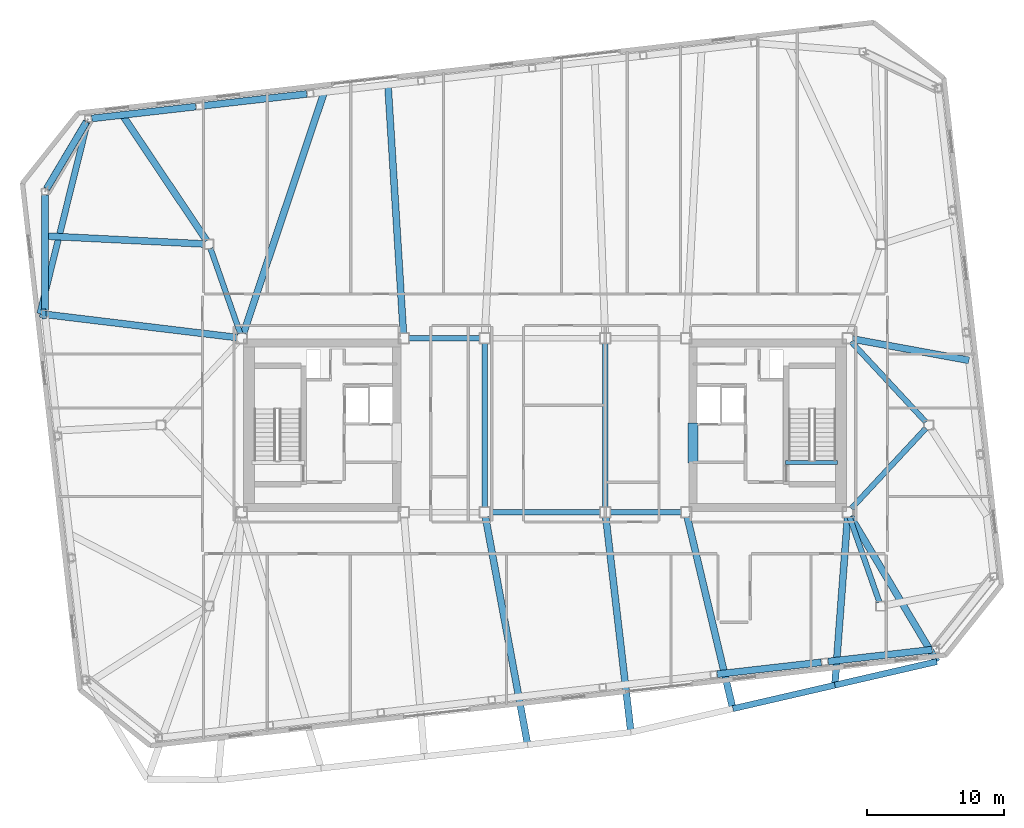
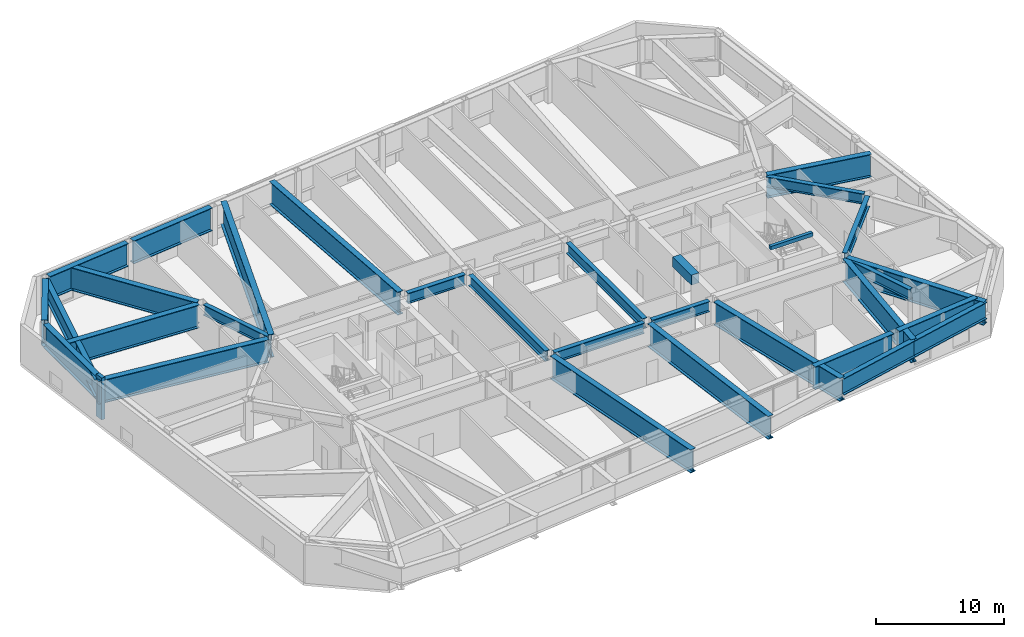
# One storey, part 7 of 18: 31 beams, 2 members.
"""IFC4 building model written with IfcOpenShell, lengths in metres."""

from ifc_helpers import new_model, si_unit, direction, frame, origin, origin_2d, place, context, subcontext, project, spatial, rectangle, hollow_circle, i_section, extrude, material, material_profile, profile_set, type_object, element, save


model = new_model("IFC4")

# Units and contexts
model_context = context("Model", 3, precision=1e-05, world=origin(), true_north=direction((0.0, 1.0)))
body_context = subcontext(model_context, "Body", "Model", "MODEL_VIEW")
ifc_project = project(units=[si_unit("LENGTHUNIT", "METRE"), si_unit("AREAUNIT", "SQUARE_METRE"), si_unit("VOLUMEUNIT", "CUBIC_METRE"), si_unit("PLANEANGLEUNIT", "RADIAN"), si_unit("MASSUNIT", "GRAM", prefix="KILO")], contexts=[model_context])

# Site, building, storey
site_placement = place(None, origin())
site = spatial("IfcSite", under=ifc_project, at=site_placement, CompositionType="ELEMENT")
building_placement = place(site_placement, origin())
building = spatial("IfcBuilding", under=site, at=building_placement, Name="Tavrogorsk Clinical Tower", CompositionType="ELEMENT")
storey_placement = place(building_placement, frame((0.0, 0.0, 267.0)))
storey = spatial("IfcBuildingStorey", under=building, at=storey_placement, Name="L62", CompositionType="ELEMENT", Elevation=267.0)

# Beam
ifc_material_1 = material(Name="Concrete B80", Category="concrete")
ifc_material_profile_1 = material_profile(ifc_material_1, rectangle(XDim=0.699951171875, YDim=0.949951171875, at=origin_2d()), Name="RC-CB-700x950")
ifc_profile_set_1 = profile_set([ifc_material_profile_1], Name="Concrete B80")
beam_type_1 = type_object("IfcBeamType", Name="CouplingBeam_RC700x950", PredefinedType="LINTEL", material=ifc_profile_set_1)
beam_1_placement = place(storey_placement, frame((10.800048828125, -2.75, 3.205078125), z_axis=(0.0, 1.0, 0.0), x_axis=(-1.0, 0.0, 0.0)))
element("IfcBeam", 1, at=beam_1_placement, inside=storey, type_object=beam_type_1, Name="L62 Core East Coupling Beam", PredefinedType="LINTEL", context=body_context, shape_type="SweptSolid", body=[
    extrude(rectangle(XDim=0.699951171875, YDim=0.949951171875, at=origin_2d()), origin(), (0.0, 0.0, 1.0), 2.89990234375),
])

# Members
ifc_material_2 = material(Name="Structural steel S440", Category="steel")
ifc_material_profile_2 = material_profile(ifc_material_2, hollow_circle(Radius=0.25390625, WallThickness=0.02001953125, at=origin_2d()), Name="CHS-508x20")
ifc_profile_set_2 = profile_set([ifc_material_profile_2], Name="Structural steel S440")
member_type_1 = type_object("IfcMemberType", Name="ExoBrace_CHS508", PredefinedType="BRACE", material=ifc_profile_set_2)
member_1_placement = place(storey_placement, frame((-33.4384765625, 22.127197265625, 0.346435546875), z_axis=(-0.503064873573, -0.845340292772, 0.179792998733), x_axis=(0.859343757678, -0.511398383005, 0.0)))
element("IfcMember", 2, at=member_1_placement, inside=storey, type_object=member_type_1, Name="L62 Corner Exoskeleton Brace N8-W1", PredefinedType="BRACE", context=body_context, shape_type="SweptSolid", body=[
    extrude(hollow_circle(Radius=0.25390625, WallThickness=0.02001953125, at=origin_2d()), origin(), (0.0, 0.0, 1.0), 5.768310546875),
])
ifc_material_3 = material(Name="Precast concrete B45 with limestone cladding", Category="masonry")
ifc_material_profile_3 = material_profile(ifc_material_3, rectangle(XDim=0.320068359375, YDim=0.719970703125, at=origin_2d()), Name="LIMESTONE-FIN-320x720")
ifc_profile_set_3 = profile_set([ifc_material_profile_3], Name="Precast concrete B45 with limestone cladding")
member_type_2 = type_object("IfcMemberType", Name="LimestonePleatFin_320x720", PredefinedType="USERDEFINED", material=ifc_profile_set_3)
member_2_placement = place(storey_placement, frame((-36.549560546875, 8.121337890625, 0.0), z_axis=(0.0, 0.0, 1.0), x_axis=(0.993571855677, 0.113203213768, 0.0)))
element("IfcMember", 3, at=member_2_placement, inside=storey, type_object=member_type_2, Name="L62 W Pleated Stone Fin 1", ObjectType="FIN", PredefinedType="USERDEFINED", context=body_context, shape_type="SweptSolid", body=[
    extrude(rectangle(XDim=0.320068359375, YDim=0.719970703125, at=origin_2d()), origin(), (0.0, 0.0, 1.0), 4.0),
])

# Beams
ifc_material_4 = material(Name="Concrete B60", Category="concrete")
ifc_material_profile_4 = material_profile(ifc_material_4, rectangle(XDim=0.300048828125, YDim=0.35009765625, at=origin_2d()), Name="RC-SHB-300x350")
ifc_profile_set_4 = profile_set([ifc_material_profile_4], Name="Concrete B60")
beam_type_2 = type_object("IfcBeamType", Name="StairHeaderBeam_RC300x350", PredefinedType="BEAM", material=ifc_profile_set_4)
beam_2_placement = place(storey_placement, frame((17.550048828125, -2.719970703125, 3.824951171875), z_axis=(1.0, 0.0, 0.0), x_axis=(0.0, 1.0, 0.0)))
element("IfcBeam", 4, at=beam_2_placement, inside=storey, type_object=beam_type_2, Name="L63 ST-E Landing Header Beam", PredefinedType="BEAM", context=body_context, shape_type="SweptSolid", body=[
    extrude(rectangle(XDim=0.300048828125, YDim=0.35009765625, at=origin_2d()), origin(), (0.0, 0.0, 1.0), 3.800048828125),
])
ifc_material_5 = material(Name="Structural steel S440", Category="steel")
ifc_material_profile_5 = material_profile(ifc_material_5, i_section(OverallWidth=0.39990234375, OverallDepth=1.0, WebThickness=0.028076171875, FlangeThickness=0.044921875, at=origin_2d()), Name="DK-1000x400x28x45")
ifc_profile_set_5 = profile_set([ifc_material_profile_5], Name="Structural steel S440")
beam_type_3 = type_object("IfcBeamType", Name="TransferGirder_DK1000", PredefinedType="USERDEFINED", material=ifc_profile_set_5)
beam_3_placement = place(storey_placement, frame((-9.93994140625, 6.35009765625, 3.179931640625), z_axis=(1.0, 0.0, 0.0), x_axis=(0.0, 1.0, 0.0)))
element("IfcBeam", 5, at=beam_3_placement, inside=storey, type_object=beam_type_3, Name="L62 Primary Spine Girder MG-02", ObjectType="GIRDER", PredefinedType="USERDEFINED", context=body_context, shape_type="SweptSolid", body=[
    extrude(i_section(OverallWidth=0.39990234375, OverallDepth=1.0, WebThickness=0.028076171875, FlangeThickness=0.044921875, at=origin_2d()), origin(), (0.0, 0.0, 1.0), 5.179931640625),
])
beam_4_placement = place(storey_placement, frame((-4.0400390625, -6.35009765625, 3.179931640625), z_axis=(1.0, 0.0, 0.0), x_axis=(0.0, 1.0, 0.0)))
element("IfcBeam", 6, at=beam_4_placement, inside=storey, type_object=beam_type_3, Name="L62 Primary Spine Girder MG-03", ObjectType="GIRDER", PredefinedType="USERDEFINED", context=body_context, shape_type="SweptSolid", body=[
    extrude(i_section(OverallWidth=0.39990234375, OverallDepth=1.0, WebThickness=0.028076171875, FlangeThickness=0.044921875, at=origin_2d()), origin(), (0.0, 0.0, 1.0), 8.080078125),
])
beam_5_placement = place(storey_placement, frame((4.760009765625, -6.35009765625, 3.179931640625), z_axis=(1.0, 0.0, 0.0), x_axis=(0.0, 1.0, 0.0)))
element("IfcBeam", 7, at=beam_5_placement, inside=storey, type_object=beam_type_3, Name="L62 Primary Spine Girder MG-05", ObjectType="GIRDER", PredefinedType="USERDEFINED", context=body_context, shape_type="SweptSolid", body=[
    extrude(i_section(OverallWidth=0.39990234375, OverallDepth=1.0, WebThickness=0.028076171875, FlangeThickness=0.044921875, at=origin_2d()), origin(), (0.0, 0.0, 1.0), 5.179931640625),
])
for number, where, z_axis, x_axis, name in (
    (8, (-4.39990234375, -5.989990234375, 3.179931640625), (0.0, 1.0, 0.0), (-1.0, 0.0, 0.0), "L62 Primary Spine Girder MG-07"),
    (9, (4.39990234375, -5.989990234375, 3.179931640625), (0.0, 1.0, 0.0), (-1.0, 0.0, 0.0), "L62 Primary Spine Girder MG-08"),
):
    element("IfcBeam", number, at=place(storey_placement, frame(where, z_axis=z_axis, x_axis=x_axis)), inside=storey, type_object=beam_type_3, Name=name, ObjectType="GIRDER", PredefinedType="USERDEFINED", context=body_context, shape_type="SweptSolid", body=[
        extrude(i_section(OverallWidth=0.39990234375, OverallDepth=1.0, WebThickness=0.028076171875, FlangeThickness=0.044921875, at=origin_2d()), origin(), (0.0, 0.0, 1.0), 11.97998046875),
    ])
for number, where, z_axis, x_axis, name in (
    (10, (24.3974609375, -12.907470703125, 3.179931640625), (-0.330654121425, 0.943752007672, 0.0), (-0.943752007672, -0.330654121425, 0.0), "L62 Spine Link Girder OPG-2"),
    (11, (-24.3974609375, 12.907470703125, 3.179931640625), (0.330654121425, -0.943752007672, 0.0), (0.943752007672, 0.330654121425, 0.0), "L62 Spine Link Girder OPG-3"),
):
    element("IfcBeam", number, at=place(storey_placement, frame(where, z_axis=z_axis, x_axis=x_axis)), inside=storey, type_object=beam_type_3, Name=name, ObjectType="GIRDER", PredefinedType="USERDEFINED", context=body_context, shape_type="SweptSolid", body=[
        extrude(i_section(OverallWidth=0.39990234375, OverallDepth=1.0, WebThickness=0.028076171875, FlangeThickness=0.044921875, at=origin_2d()), origin(), (0.0, 0.0, 1.0), 6.58837890625),
    ])
for number, where, z_axis, x_axis, name in (
    (12, (27.7890625, -0.22705078125, 3.179931640625), (-0.680684060959, -0.732577101168, 0.0), (0.732577101168, -0.680684060959, 0.0), "L62 Spine Link Girder OPG-7"),
    (13, (27.7890625, 0.22705078125, 3.179931640625), (-0.680684060959, 0.732577101168, 0.0), (-0.732577101168, -0.680684060959, 0.0), "L62 Spine Link Girder OPG-8"),
):
    element("IfcBeam", number, at=place(storey_placement, frame(where, z_axis=z_axis, x_axis=x_axis)), inside=storey, type_object=beam_type_3, Name=name, ObjectType="GIRDER", PredefinedType="USERDEFINED", context=body_context, shape_type="SweptSolid", body=[
        extrude(i_section(OverallWidth=0.39990234375, OverallDepth=1.0, WebThickness=0.028076171875, FlangeThickness=0.044921875, at=origin_2d()), origin(), (0.0, 0.0, 1.0), 7.998046875),
    ])
ifc_material_6 = material(Name="Structural steel S440", Category="steel")
ifc_material_profile_6 = material_profile(ifc_material_6, i_section(OverallWidth=0.449951171875, OverallDepth=1.60009765625, WebThickness=0.031982421875, FlangeThickness=0.050048828125, at=origin_2d()), Name="DK-1600x450x32x50")
ifc_profile_set_6 = profile_set([ifc_material_profile_6], Name="Structural steel S440")
beam_type_4 = type_object("IfcBeamType", Name="TransferGirder_DK1600", PredefinedType="USERDEFINED", material=ifc_profile_set_6)
beam_6_placement = place(storey_placement, frame((13.711181640625, -20.6796875, 2.8798828125), z_axis=(0.974372328168, 0.224941250331, 0.0), x_axis=(-0.224941250331, 0.974372328168, 0.0)))
element("IfcBeam", 14, at=beam_6_placement, inside=storey, type_object=beam_type_4, Name="L63 Transfer Edge Girder S6-S7", ObjectType="GIRDER", PredefinedType="USERDEFINED", context=body_context, shape_type="SweptSolid", body=[
    extrude(i_section(OverallWidth=0.449951171875, OverallDepth=1.60009765625, WebThickness=0.031982421875, FlangeThickness=0.050048828125, at=origin_2d()), origin(), (0.0, 0.0, 1.0), 7.63427734375),
])
beam_7_placement = place(storey_placement, frame((21.14990234375, -18.96240234375, 2.8798828125), z_axis=(0.974365318669, 0.224971611042, 0.0), x_axis=(-0.224971611042, 0.974365318669, 0.0)))
element("IfcBeam", 15, at=beam_7_placement, inside=storey, type_object=beam_type_4, Name="L63 Transfer Edge Girder S7-S8", ObjectType="GIRDER", PredefinedType="USERDEFINED", context=body_context, shape_type="SweptSolid", body=[
    extrude(i_section(OverallWidth=0.449951171875, OverallDepth=1.60009765625, WebThickness=0.031982421875, FlangeThickness=0.050048828125, at=origin_2d()), origin(), (0.0, 0.0, 1.0), 7.634521484375),
])
beam_8_placement = place(storey_placement, frame((-33.370849609375, 22.094970703125, 2.8798828125), z_axis=(-0.240794749383, -0.970576060219, 0.0), x_axis=(0.970576060219, -0.240794749383, 0.0)))
element("IfcBeam", 16, at=beam_8_placement, inside=storey, type_object=beam_type_4, Name="L63 Transfer Edge Tie W1", ObjectType="GIRDER", PredefinedType="USERDEFINED", context=body_context, shape_type="SweptSolid", body=[
    extrude(i_section(OverallWidth=0.449951171875, OverallDepth=1.60009765625, WebThickness=0.031982421875, FlangeThickness=0.050048828125, at=origin_2d()), origin(), (0.0, 0.0, 1.0), 14.39013671875),
])
ifc_material_7 = material(Name="Structural steel S440", Category="steel")
ifc_material_profile_7 = material_profile(ifc_material_7, i_section(OverallWidth=0.5, OverallDepth=2.199951171875, WebThickness=0.035888671875, FlangeThickness=0.054931640625, at=origin_2d()), Name="DK-2200x500x36x55")
ifc_profile_set_7 = profile_set([ifc_material_profile_7], Name="Structural steel S440")
beam_type_5 = type_object("IfcBeamType", Name="TransferGirder_DK2200", PredefinedType="USERDEFINED", material=ifc_profile_set_7)
beam_9_placement = place(storey_placement, frame((12.57275390625, -18.1611328125, 2.580078125), z_axis=(0.993571689921, 0.113204668576, 0.0), x_axis=(-0.113204668576, 0.993571689921, 0.0)))
element("IfcBeam", 17, at=beam_9_placement, inside=storey, type_object=beam_type_5, Name="L62 Perimeter Spandrel S6-S7", ObjectType="GIRDER", PredefinedType="USERDEFINED", context=body_context, shape_type="SweptSolid", body=[
    extrude(i_section(OverallWidth=0.5, OverallDepth=2.199951171875, WebThickness=0.035888671875, FlangeThickness=0.054931640625, at=origin_2d()), origin(), (0.0, 0.0, 1.0), 7.63232421875),
])
for number, where, z_axis, x_axis, name in (
    (18, (20.668701171875, -17.238525390625, 2.580078125), (0.993572099834, 0.113201070804, 0.0), (-0.113201070804, 0.993572099834, 0.0), "L62 Perimeter Spandrel S7-S8"),
    (19, (-17.37255859375, 24.1611328125, 2.580078125), (-0.993572099834, -0.113201070804, 0.0), (0.113201070804, -0.993572099834, 0.0), "L62 Perimeter Spandrel N6-N7"),
    (20, (-25.46875, 23.238525390625, 2.580078125), (-0.993572099834, -0.113201070804, 0.0), (0.113201070804, -0.993572099834, 0.0), "L62 Perimeter Spandrel N7-N8"),
):
    element("IfcBeam", number, at=place(storey_placement, frame(where, z_axis=z_axis, x_axis=x_axis)), inside=storey, type_object=beam_type_5, Name=name, ObjectType="GIRDER", PredefinedType="USERDEFINED", context=body_context, shape_type="SweptSolid", body=[
        extrude(i_section(OverallWidth=0.5, OverallDepth=2.199951171875, WebThickness=0.035888671875, FlangeThickness=0.054931640625, at=origin_2d()), origin(), (0.0, 0.0, 1.0), 7.632568359375),
    ])
beam_10_placement = place(storey_placement, frame((-33.4404296875, 22.123779296875, 2.580078125), z_axis=(-0.51140659222, -0.859338872293, 0.0), x_axis=(0.859338872293, -0.51140659222, 0.0)))
element("IfcBeam", 21, at=beam_10_placement, inside=storey, type_object=beam_type_5, Name="L62 Perimeter Spandrel N8-W1", ObjectType="GIRDER", PredefinedType="USERDEFINED", context=body_context, shape_type="SweptSolid", body=[
    extrude(i_section(OverallWidth=0.5, OverallDepth=2.199951171875, WebThickness=0.035888671875, FlangeThickness=0.054931640625, at=origin_2d()), origin(), (0.0, 0.0, 1.0), 5.666259765625),
])
beam_11_placement = place(storey_placement, frame((-36.469970703125, 16.77490234375, 2.580078125), z_axis=(0.0, -1.0, 0.0), x_axis=(1.0, 0.0, 0.0)))
element("IfcBeam", 22, at=beam_11_placement, inside=storey, type_object=beam_type_5, Name="L62 Perimeter Spandrel W1-W2", ObjectType="GIRDER", PredefinedType="USERDEFINED", context=body_context, shape_type="SweptSolid", body=[
    extrude(i_section(OverallWidth=0.5, OverallDepth=2.199951171875, WebThickness=0.035888671875, FlangeThickness=0.054931640625, at=origin_2d()), origin(), (0.0, 0.0, 1.0), 8.386474609375),
])
beam_12_placement = place(storey_placement, frame((-4.33447265625, -6.703857421875, 2.580078125), z_axis=(0.182188130945, -0.983263690443, 0.0), x_axis=(0.983263690443, 0.182188130945, 0.0)))
element("IfcBeam", 23, at=beam_12_placement, inside=storey, type_object=beam_type_5, Name="L63 Block Transfer Girder S4", ObjectType="GIRDER", PredefinedType="USERDEFINED", context=body_context, shape_type="SweptSolid", body=[
    extrude(i_section(OverallWidth=0.5, OverallDepth=2.199951171875, WebThickness=0.035888671875, FlangeThickness=0.054931640625, at=origin_2d()), origin(), (0.0, 0.0, 1.0), 16.888671875),
])
beam_13_placement = place(storey_placement, frame((4.441650390625, -6.70751953125, 2.580078125), z_axis=(0.11591932866, -0.993258631598, 0.0), x_axis=(0.993258631598, 0.11591932866, 0.0)))
element("IfcBeam", 24, at=beam_13_placement, inside=storey, type_object=beam_type_5, Name="L63 Block Transfer Girder S5", ObjectType="GIRDER", PredefinedType="USERDEFINED", context=body_context, shape_type="SweptSolid", body=[
    extrude(i_section(OverallWidth=0.5, OverallDepth=2.199951171875, WebThickness=0.035888671875, FlangeThickness=0.054931640625, at=origin_2d()), origin(), (0.0, 0.0, 1.0), 15.7958984375),
])
beam_14_placement = place(storey_placement, frame((10.38330078125, -6.7001953125, 2.580078125), z_axis=(0.231583011833, -0.972815146177, 0.0), x_axis=(0.972815146177, 0.231583011833, 0.0)))
element("IfcBeam", 25, at=beam_14_placement, inside=storey, type_object=beam_type_5, Name="L63 Block Transfer Girder S6", ObjectType="GIRDER", PredefinedType="USERDEFINED", context=body_context, shape_type="SweptSolid", body=[
    extrude(i_section(OverallWidth=0.5, OverallDepth=2.199951171875, WebThickness=0.035888671875, FlangeThickness=0.054931640625, at=origin_2d()), origin(), (0.0, 0.0, 1.0), 14.3701171875),
])
beam_15_placement = place(storey_placement, frame((22.072998046875, -6.708984375, 2.580078125), z_axis=(-0.075120871495, -0.997174435425, 0.0), x_axis=(0.997174435425, -0.075120871495, 0.0)))
element("IfcBeam", 26, at=beam_15_placement, inside=storey, type_object=beam_type_5, Name="L63 Block Transfer Girder S7", ObjectType="GIRDER", PredefinedType="USERDEFINED", context=body_context, shape_type="SweptSolid", body=[
    extrude(i_section(OverallWidth=0.5, OverallDepth=2.199951171875, WebThickness=0.035888671875, FlangeThickness=0.054931640625, at=origin_2d()), origin(), (0.0, 0.0, 1.0), 12.2880859375),
])
beam_16_placement = place(storey_placement, frame((22.2841796875, -6.6591796875, 2.580078125), z_axis=(0.511689728152, -0.859170310302, 0.0), x_axis=(0.859170310302, 0.511689728152, 0.0)))
element("IfcBeam", 27, at=beam_16_placement, inside=storey, type_object=beam_type_5, Name="L63 Block Transfer Girder S8", ObjectType="GIRDER", PredefinedType="USERDEFINED", context=body_context, shape_type="SweptSolid", body=[
    extrude(i_section(OverallWidth=0.5, OverallDepth=2.199951171875, WebThickness=0.035888671875, FlangeThickness=0.054931640625, at=origin_2d()), origin(), (0.0, 0.0, 1.0), 12.32080078125),
])
beam_17_placement = place(storey_placement, frame((-10.322265625, 6.709228515625, 2.580078125), z_axis=(-0.061956489409, 0.998078851304, 0.0), x_axis=(-0.998078851304, -0.061956489409, 0.0)))
element("IfcBeam", 28, at=beam_17_placement, inside=storey, type_object=beam_type_5, Name="L63 Block Transfer Girder N5", ObjectType="GIRDER", PredefinedType="USERDEFINED", context=body_context, shape_type="SweptSolid", body=[
    extrude(i_section(OverallWidth=0.5, OverallDepth=2.199951171875, WebThickness=0.035888671875, FlangeThickness=0.054931640625, at=origin_2d()), origin(), (0.0, 0.0, 1.0), 18.161865234375),
])
beam_18_placement = place(storey_placement, frame((-21.98583984375, 6.69140625, 2.580078125), z_axis=(0.317197607903, 0.948359466416, 0.0), x_axis=(-0.948359466416, 0.317197607903, 0.0)))
element("IfcBeam", 29, at=beam_18_placement, inside=storey, type_object=beam_type_5, Name="L63 Block Transfer Girder N6", ObjectType="GIRDER", PredefinedType="USERDEFINED", context=body_context, shape_type="SweptSolid", body=[
    extrude(i_section(OverallWidth=0.5, OverallDepth=2.199951171875, WebThickness=0.035888671875, FlangeThickness=0.054931640625, at=origin_2d()), origin(), (0.0, 0.0, 1.0), 18.57470703125),
])
beam_19_placement = place(storey_placement, frame((-24.672607421875, 13.45751953125, 2.580078125), z_axis=(-0.556958412623, 0.830540382286, 0.0), x_axis=(-0.830540382286, -0.556958412623, 0.0)))
element("IfcBeam", 30, at=beam_19_placement, inside=storey, type_object=beam_type_5, Name="L63 Block Transfer Girder N7", ObjectType="GIRDER", PredefinedType="USERDEFINED", context=body_context, shape_type="SweptSolid", body=[
    extrude(i_section(OverallWidth=0.5, OverallDepth=2.199951171875, WebThickness=0.035888671875, FlangeThickness=0.054931640625, at=origin_2d()), origin(), (0.0, 0.0, 1.0), 11.04248046875),
])
beam_20_placement = place(storey_placement, frame((-24.8095703125, 13.215576171875, 2.580078125), z_axis=(-0.998750304271, 0.049978292481, 0.0), x_axis=(-0.049978292481, -0.998750304271, 0.0)))
element("IfcBeam", 31, at=beam_20_placement, inside=storey, type_object=beam_type_5, Name="L63 Block Transfer Girder N8", ObjectType="GIRDER", PredefinedType="USERDEFINED", context=body_context, shape_type="SweptSolid", body=[
    extrude(i_section(OverallWidth=0.5, OverallDepth=2.199951171875, WebThickness=0.035888671875, FlangeThickness=0.054931640625, at=origin_2d()), origin(), (0.0, 0.0, 1.0), 11.675048828125),
])
beam_21_placement = place(storey_placement, frame((22.4541015625, 6.284912109375, 2.580078125), z_axis=(0.983568300237, -0.180536419509, 0.0), x_axis=(0.180536419509, 0.983568300237, 0.0)))
element("IfcBeam", 32, at=beam_21_placement, inside=storey, type_object=beam_type_5, Name="L63 Block Transfer Girder E3", ObjectType="GIRDER", PredefinedType="USERDEFINED", context=body_context, shape_type="SweptSolid", body=[
    extrude(i_section(OverallWidth=0.5, OverallDepth=2.199951171875, WebThickness=0.035888671875, FlangeThickness=0.054931640625, at=origin_2d()), origin(), (0.0, 0.0, 1.0), 8.62646484375),
])
beam_22_placement = place(storey_placement, frame((-22.45751953125, 6.39306640625, 2.580078125), z_axis=(-0.992797410753, 0.119805263664, 0.0), x_axis=(-0.119805263664, -0.992797410753, 0.0)))
element("IfcBeam", 33, at=beam_22_placement, inside=storey, type_object=beam_type_5, Name="L63 Block Transfer Girder W1", ObjectType="GIRDER", PredefinedType="USERDEFINED", context=body_context, shape_type="SweptSolid", body=[
    extrude(i_section(OverallWidth=0.5, OverallDepth=2.199951171875, WebThickness=0.035888671875, FlangeThickness=0.054931640625, at=origin_2d()), origin(), (0.0, 0.0, 1.0), 14.482666015625),
])

save(model, "model.ifc")
